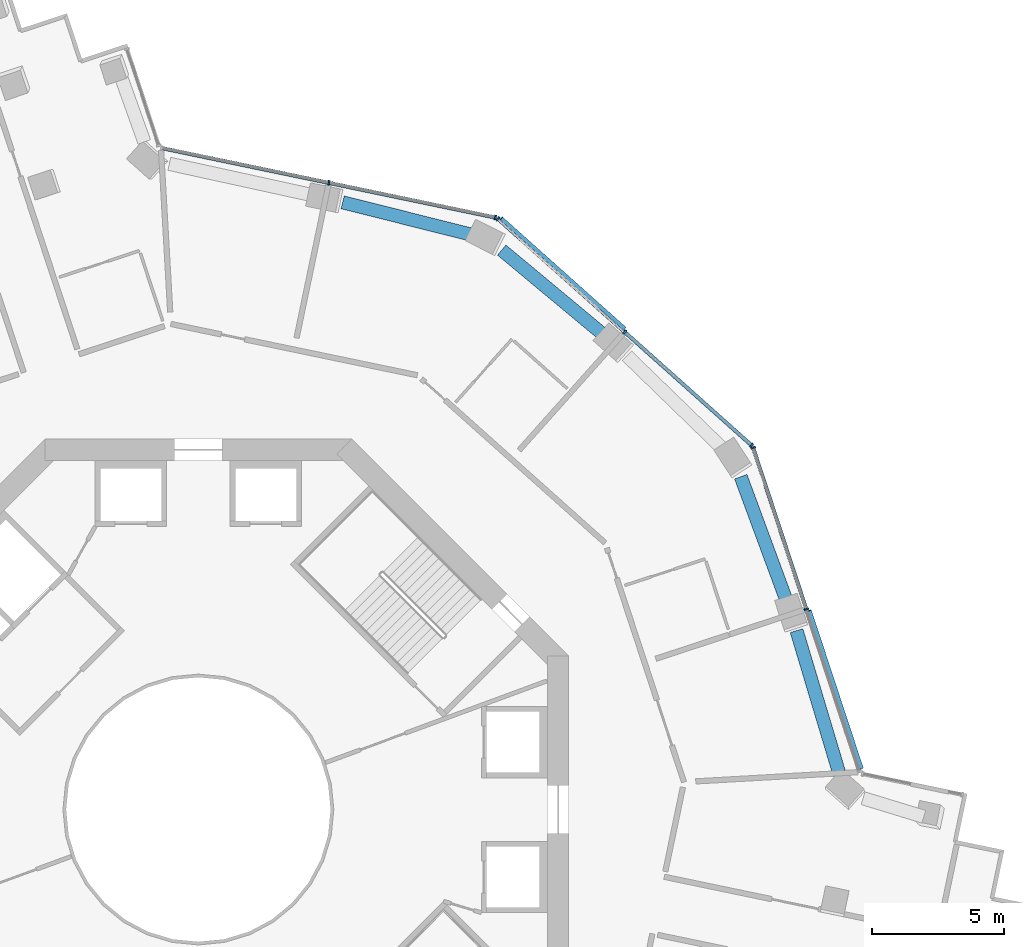
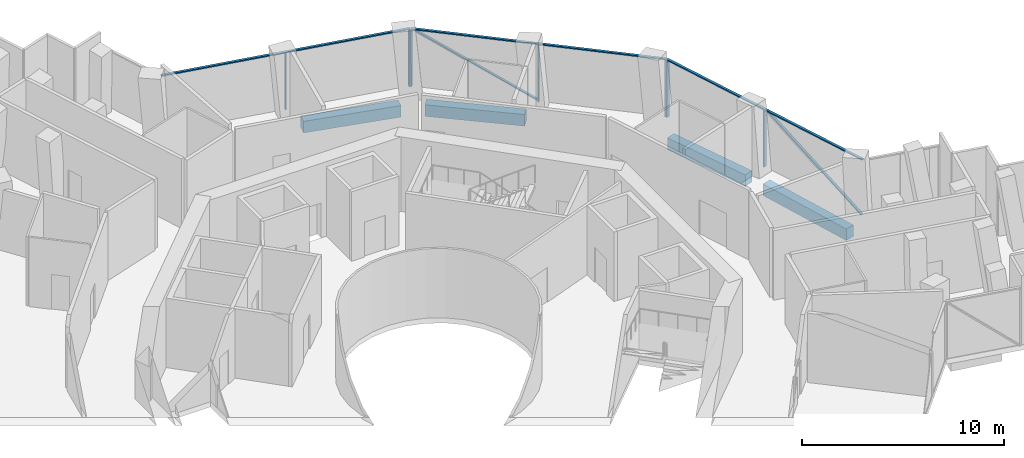
# One storey, part 9 of 21: 12 members, 4 beams, 3 elements without a shape of their own.
"""IFC4 building model written with IfcOpenShell, lengths in metres."""

from ifc_helpers import new_model, si_unit, direction, frame, origin, origin_2d, place, context, subcontext, project, spatial, rectangle, extrude, material, layer, layer_set, material_profile, profile_set, type_object, element, aggregate, save


model = new_model("IFC4")

# Units and contexts
model_context = context("Model", 3, precision=1e-05, world=origin(), true_north=direction((0.0, 1.0)))
body_context = subcontext(model_context, "Body", "Model", "MODEL_VIEW")
ifc_project = project(units=[si_unit("LENGTHUNIT", "METRE"), si_unit("AREAUNIT", "SQUARE_METRE"), si_unit("VOLUMEUNIT", "CUBIC_METRE"), si_unit("PLANEANGLEUNIT", "RADIAN"), si_unit("MASSUNIT", "GRAM", prefix="KILO")], contexts=[model_context])

# Site, building, storey
site_placement = place(None, origin())
site = spatial("IfcSite", under=ifc_project, at=site_placement, CompositionType="ELEMENT")
building_placement = place(site_placement, origin())
building = spatial("IfcBuilding", under=site, at=building_placement, Name="Verdalira Terraces Hotel", CompositionType="ELEMENT")
storey_placement = place(building_placement, frame((0.0, 0.0, 107.0)))
storey = spatial("IfcBuildingStorey", under=building, at=storey_placement, Name="L25", CompositionType="ELEMENT", Elevation=107.0)

# Curtain wall, members
ifc_material_1 = material(Name="Clear glass", Category="glass")
ifc_layer = layer(ifc_material_1, 0.179931640625)
ifc_layer_set = layer_set([ifc_layer], Name="CW4 curtain wall")
curtain_wall_type = type_object("IfcCurtainWallType", Name="CW4 curtain wall", PredefinedType="NOTDEFINED", material=ifc_layer_set)
curtain_wall_1_placement = place(storey_placement, origin())
curtain_wall_1 = element("IfcCurtainWall", 1, at=curtain_wall_1_placement, inside=storey, type_object=curtain_wall_type, Name="CW4 curtain wall L25 edge 39", PredefinedType="NOTDEFINED")
ifc_material_2 = material(Name="Terracotta frame", Category="masonry")
ifc_material_profile_1 = material_profile(ifc_material_2, rectangle(XDim=0.064941, YDim=0.179932, at=origin_2d()), Name="MU 65x180")
ifc_profile_set_1 = profile_set([ifc_material_profile_1], Name="Terracotta frame")
member_type_1 = type_object("IfcMemberType", Name="CW4 mullion 65x180", PredefinedType="MULLION", material=ifc_profile_set_1)
member_1_placement = place(storey_placement, frame((22.982422, 7.573975, 0.0), z_axis=(0.0, 0.0, 1.0), x_axis=(-0.312998048, 0.949753769, 0.0)))
member_1 = element("IfcMember", 2, at=member_1_placement, type_object=member_type_1, Name="CW4 mullion", PredefinedType="MULLION", context=body_context, shape_type="SweptSolid", body=[
    extrude(rectangle(XDim=0.064941, YDim=0.179932, at=origin_2d()), origin(), (0.0, 0.0, 1.0), 3.419922),
])
member_2_placement = place(storey_placement, frame((20.970703, 13.678467, 0.0), z_axis=(0.0, 0.0, 1.0), x_axis=(-0.312998048, 0.949753769, 0.0)))
member_2 = element("IfcMember", 3, at=member_2_placement, type_object=member_type_1, Name="CW4 mullion", PredefinedType="MULLION", context=body_context, shape_type="SweptSolid", body=[
    extrude(rectangle(XDim=0.064941, YDim=0.179932, at=origin_2d()), origin(), (0.0, 0.0, 1.0), 3.419922),
])

curtain_wall_2_placement = place(storey_placement, origin())
curtain_wall_2 = element("IfcCurtainWall", 4, at=curtain_wall_2_placement, inside=storey, type_object=curtain_wall_type, Name="CW4 curtain wall L25 edge 40", PredefinedType="NOTDEFINED")
member_3_placement = place(storey_placement, frame((20.910889, 13.769775, 0.0), z_axis=(0.0, 0.0, 1.0), x_axis=(-0.745941145, 0.666011867, 0.0)))
member_3 = element("IfcMember", 5, at=member_3_placement, type_object=member_type_1, Name="CW4 mullion", PredefinedType="MULLION", context=body_context, shape_type="SweptSolid", body=[
    extrude(rectangle(XDim=0.064941, YDim=0.179932, at=origin_2d()), origin(), (0.0, 0.0, 1.0), 3.419922),
])
member_4_placement = place(storey_placement, frame((16.116455, 18.050537, 0.0), z_axis=(0.0, 0.0, 1.0), x_axis=(-0.745941145, 0.666011867, 0.0)))
member_4 = element("IfcMember", 6, at=member_4_placement, type_object=member_type_1, Name="CW4 mullion", PredefinedType="MULLION", context=body_context, shape_type="SweptSolid", body=[
    extrude(rectangle(XDim=0.064941, YDim=0.179932, at=origin_2d()), origin(), (0.0, 0.0, 1.0), 3.419922),
])
member_5_placement = place(storey_placement, frame((11.322021, 22.331299, 0.0), z_axis=(0.0, 0.0, 1.0), x_axis=(-0.745941145, 0.666011867, 0.0)))
member_5 = element("IfcMember", 7, at=member_5_placement, type_object=member_type_1, Name="CW4 mullion", PredefinedType="MULLION", context=body_context, shape_type="SweptSolid", body=[
    extrude(rectangle(XDim=0.064941, YDim=0.179932, at=origin_2d()), origin(), (0.0, 0.0, 1.0), 3.419922),
])

curtain_wall_3_placement = place(storey_placement, origin())
curtain_wall_3 = element("IfcCurtainWall", 8, at=curtain_wall_3_placement, inside=storey, type_object=curtain_wall_type, Name="CW4 curtain wall L25 edge 41", PredefinedType="NOTDEFINED")
member_6_placement = place(storey_placement, frame((11.224365, 22.380371, 0.0), z_axis=(0.0, 0.0, 1.0), x_axis=(-0.979009915, 0.203812624, 0.0)))
member_6 = element("IfcMember", 9, at=member_6_placement, type_object=member_type_1, Name="CW4 mullion", PredefinedType="MULLION", context=body_context, shape_type="SweptSolid", body=[
    extrude(rectangle(XDim=0.064941, YDim=0.179932, at=origin_2d()), origin(), (0.0, 0.0, 1.0), 3.419922),
])
member_7_placement = place(storey_placement, frame((4.931885, 23.69043, 0.0), z_axis=(0.0, 0.0, 1.0), x_axis=(-0.979009915, 0.203812624, 0.0)))
member_7 = element("IfcMember", 10, at=member_7_placement, type_object=member_type_1, Name="CW4 mullion", PredefinedType="MULLION", context=body_context, shape_type="SweptSolid", body=[
    extrude(rectangle(XDim=0.064941, YDim=0.179932, at=origin_2d()), origin(), (0.0, 0.0, 1.0), 3.419922),
])

# Member
ifc_material_3 = material(Name="Terracotta frame", Category="masonry")
ifc_material_profile_2 = material_profile(ifc_material_3, rectangle(XDim=0.139893, YDim=0.070068, at=origin_2d()), Name="TR 70x140")
ifc_profile_set_2 = profile_set([ifc_material_profile_2], Name="Terracotta frame")
member_type_2 = type_object("IfcMemberType", Name="CW4 transom 70x140", PredefinedType="USERDEFINED", material=ifc_profile_set_2)
member_8_placement = place(storey_placement, frame((25.011475, 1.416992, 3.455078), z_axis=(-0.313000298, 0.949753028, 0.0), x_axis=(-0.949753028, -0.313000298, 0.0)))
member_8 = element("IfcMember", 11, at=member_8_placement, type_object=member_type_2, Name="CW4 transom", ObjectType="TRANSOM", PredefinedType="USERDEFINED", context=body_context, shape_type="SweptSolid", body=[
    extrude(rectangle(XDim=0.139893, YDim=0.070068, at=origin_2d()), origin(), (0.0, 0.0, 1.0), 12.942627),
])

member_9_placement = place(storey_placement, frame((20.935059, 13.748291, 3.455078), z_axis=(-0.745943697, 0.66600901, 0.0), x_axis=(-0.66600901, -0.745943697, 0.0)))
member_9 = element("IfcMember", 12, at=member_9_placement, type_object=member_type_2, Name="CW4 transom", ObjectType="TRANSOM", PredefinedType="USERDEFINED", context=body_context, shape_type="SweptSolid", body=[
    extrude(rectangle(XDim=0.139893, YDim=0.070068, at=origin_2d()), origin(), (0.0, 0.0, 1.0), 12.919434),
])

member_10_placement = place(storey_placement, frame((11.256104, 22.373779, 3.455078), z_axis=(-0.979008658, 0.203818662, 0.0), x_axis=(-0.203818662, -0.979008658, 0.0)))
member_10 = element("IfcMember", 13, at=member_10_placement, type_object=member_type_2, Name="CW4 transom", ObjectType="TRANSOM", PredefinedType="USERDEFINED", context=body_context, shape_type="SweptSolid", body=[
    extrude(rectangle(XDim=0.139893, YDim=0.070068, at=origin_2d()), origin(), (0.0, 0.0, 1.0), 12.942627),
])

aggregate(curtain_wall_3, [member_6, member_7, member_10])

ifc_material_4 = material(Name="Terracotta frame", Category="masonry")
ifc_material_profile_3 = material_profile(ifc_material_4, rectangle(XDim=0.149902, YDim=0.060059, at=origin_2d()), Name="GB 60x150")
ifc_profile_set_3 = profile_set([ifc_material_profile_3], Name="Terracotta frame")
member_type_3 = type_object("IfcMemberType", Name="Diagonal glazing bar 60x150", PredefinedType="USERDEFINED", material=ifc_profile_set_3)
member_11_placement = place(storey_placement, frame((25.063477, 1.556396, 0.027344), z_axis=(-0.275912307, 0.837225153, 0.472150868), x_axis=(-0.949754154, -0.312996879, 0.0)))
member_11 = element("IfcMember", 14, at=member_11_placement, type_object=member_type_3, Name="Diagonal glazing bar", ObjectType="GLAZING BAR", PredefinedType="USERDEFINED", context=body_context, shape_type="SweptSolid", body=[
    extrude(rectangle(XDim=0.149902, YDim=0.060059, at=origin_2d()), origin(), (0.0, 0.0, 1.0), 7.127441),
])

aggregate(curtain_wall_1, [member_1, member_2, member_8, member_11])

member_12_placement = place(storey_placement, frame((16.115967, 18.175537, 0.027344), z_axis=(-0.657037561, 0.586621052, 0.473473742), x_axis=(-0.66600337, -0.745948733, 0.0)))
member_12 = element("IfcMember", 15, at=member_12_placement, type_object=member_type_3, Name="Diagonal glazing bar", ObjectType="GLAZING BAR", PredefinedType="USERDEFINED", context=body_context, shape_type="SweptSolid", body=[
    extrude(rectangle(XDim=0.149902, YDim=0.060059, at=origin_2d()), origin(), (0.0, 0.0, 1.0), 7.107422),
])

aggregate(curtain_wall_2, [member_3, member_4, member_5, member_9, member_12])

# Beams
ifc_material_5 = material(Name="Concrete C70", Category="concrete")
ifc_material_profile_4 = material_profile(ifc_material_5, rectangle(XDim=0.5, YDim=0.699951, at=origin_2d()), Name="RC 500X700")
ifc_profile_set_4 = profile_set([ifc_material_profile_4], Name="Concrete C70")
beam_type = type_object("IfcBeamType", Name="Spandrel beam RC 500X700 C70", PredefinedType="SPANDREL", material=ifc_profile_set_4)
beam_1_placement = place(storey_placement, frame((24.237305, 1.32959, -0.659912), z_axis=(-0.286735691, 0.95800973, 0.0), x_axis=(-0.95800973, -0.286735691, 0.0)))
element("IfcBeam", 16, at=beam_1_placement, inside=storey, type_object=beam_type, Name="Spandrel beam B24", PredefinedType="SPANDREL", context=body_context, shape_type="SweptSolid", body=[
    extrude(rectangle(XDim=0.5, YDim=0.699951, at=origin_2d()), origin(), (0.0, 0.0, 1.0), 5.671387),
])
beam_2_placement = place(storey_placement, frame((22.238037, 7.878906, -0.659912), z_axis=(-0.346213173, 0.938155871, 0.0), x_axis=(-0.938155871, -0.346213173, 0.0)))
element("IfcBeam", 17, at=beam_2_placement, inside=storey, type_object=beam_type, Name="Spandrel beam B25", PredefinedType="SPANDREL", context=body_context, shape_type="SweptSolid", body=[
    extrude(rectangle(XDim=0.5, YDim=0.699951, at=origin_2d()), origin(), (0.0, 0.0, 1.0), 5.012451),
])
beam_3_placement = place(storey_placement, frame((15.319092, 17.942383, -0.659912), z_axis=(-0.768871667, 0.639403128, 0.0), x_axis=(-0.639403128, -0.768871667, 0.0)))
element("IfcBeam", 18, at=beam_3_placement, inside=storey, type_object=beam_type, Name="Spandrel beam B27", PredefinedType="SPANDREL", context=body_context, shape_type="SweptSolid", body=[
    extrude(rectangle(XDim=0.5, YDim=0.699951, at=origin_2d()), origin(), (0.0, 0.0, 1.0), 5.012207),
])
beam_4_placement = place(storey_placement, frame((10.316406, 21.729004, -0.659912), z_axis=(-0.969720115, 0.244218956, 0.0), x_axis=(-0.244218956, -0.969720115, 0.0)))
element("IfcBeam", 19, at=beam_4_placement, inside=storey, type_object=beam_type, Name="Spandrel beam B28", PredefinedType="SPANDREL", context=body_context, shape_type="SweptSolid", body=[
    extrude(rectangle(XDim=0.5, YDim=0.699951, at=origin_2d()), origin(), (0.0, 0.0, 1.0), 5.015381),
])

save(model, "model.ifc")
